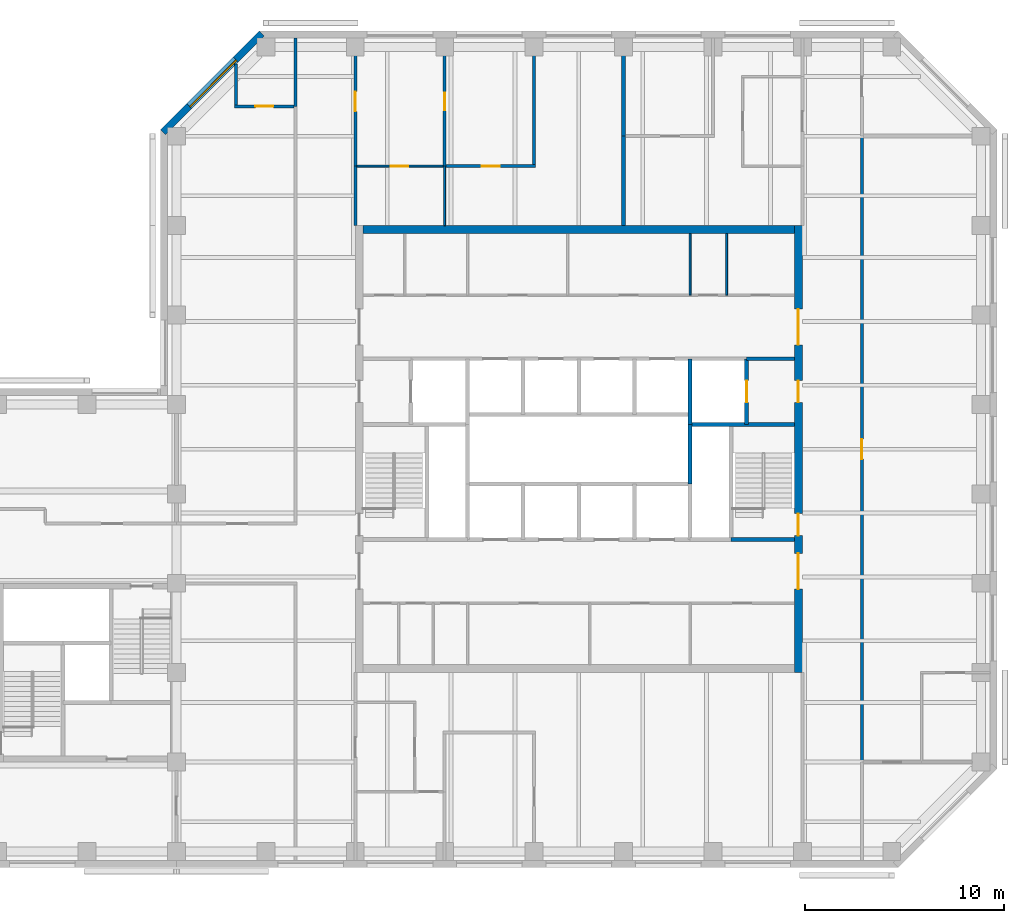
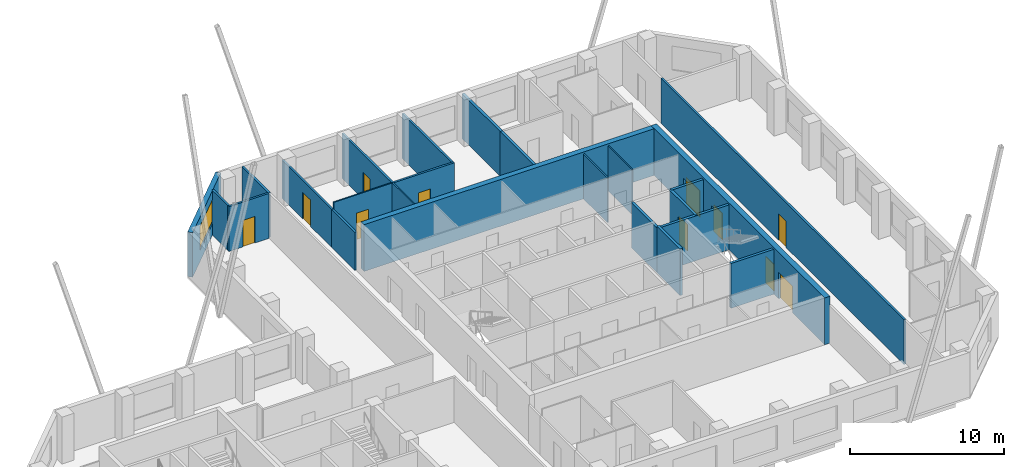
# One storey, part 6 of 9: 24 walls, 11 doors, 1 window, 12 openings.
"""IFC4 building model written with IfcOpenShell, lengths in metres."""

import ifcopenshell
import ifcopenshell.guid

model = None  # the IFC model being written
_history = None  # IfcOwnerHistory: only IFC2X3 demands one
_inside = {}  # id of a spatial element -> (the spatial element, [elements in it])
_under = {}  # id of a project, library or spatial element -> (it, [spatial elements below it])
_declared = {}  # id of a project -> (the project, [libraries it declares])
_typed = {}  # id of a type object -> (the type object, [elements of that type])
_made_of = {}  # id of a material, layer set ... -> (it, [elements and type objects made of it])


def new_model(schema):
    """Start an empty IFC model of exactly this schema.

    Asked for "IFC4X3", IfcOpenShell would pick the latest addendum, in which some entities
    have other attributes; the version numbers below select the first issue.
    IFC2X3 requires an IfcOwnerHistory on every rooted entity: one is made here for all.
    """
    global model, _history
    if schema == "IFC4X3":
        model = ifcopenshell.file(schema_version=(4, 3, 0, 0))
    else:
        model = ifcopenshell.file(schema=schema)
    _inside.clear()
    _under.clear()
    _declared.clear()
    _typed.clear()
    _made_of.clear()
    _history = None
    if model.schema == "IFC2X3":
        org = make("IfcOrganization", Name="unknown")
        user = make(
            "IfcPersonAndOrganization",
            ThePerson=make("IfcPerson", FamilyName="unknown"),
            TheOrganization=org,
        )
        app = make(
            "IfcApplication",
            ApplicationDeveloper=org,
            Version="unknown",
            ApplicationFullName="unknown",
            ApplicationIdentifier="unknown",
        )
        _history = make(
            "IfcOwnerHistory",
            OwningUser=user,
            OwningApplication=app,
            ChangeAction="ADDED",
            CreationDate=0,
        )
    return model


def make(cls, **values):
    """One entity of the class cls with the attributes given. An attribute that is None is left unset."""
    return model.create_entity(
        cls, **{name: value for name, value in values.items() if value is not None}
    )


def rooted(cls, **values):
    """An entity with a GlobalId (a new one), such as an element, a storey or a relation."""
    return make(cls, GlobalId=ifcopenshell.guid.new(), OwnerHistory=_history, **values)


def si_unit(unit_type, name, prefix=None):
    """IfcSIUnit, for example si_unit("LENGTHUNIT", "METRE", prefix="MILLI")."""
    return make("IfcSIUnit", UnitType=unit_type, Prefix=prefix, Name=name)


def assignment(units):
    """IfcUnitAssignment: the units of a project."""
    return None if units is None else make("IfcUnitAssignment", Units=units)


def point(xyz):
    """IfcCartesianPoint."""
    return None if xyz is None else make("IfcCartesianPoint", Coordinates=xyz)


def direction(xyz):
    """IfcDirection."""
    return None if xyz is None else make("IfcDirection", DirectionRatios=xyz)


def frame(location, z_axis=None, x_axis=None):
    """IfcAxis2Placement3D, a coordinate frame: its origin and axes. An axis left out is left unset."""
    return make(
        "IfcAxis2Placement3D",
        Location=point(location),
        Axis=direction(z_axis),
        RefDirection=direction(x_axis),
    )


def frame_2d(location, x_axis=None):
    """IfcAxis2Placement2D, a coordinate frame in the plane: its origin and x axis."""
    return make(
        "IfcAxis2Placement2D", Location=point(location), RefDirection=direction(x_axis)
    )


def origin():
    """The frame at (0, 0, 0) with its axes left unset."""
    return frame((0.0, 0.0, 0.0))


def place(relative_to, where):
    """IfcLocalPlacement: puts the frame where relative to a parent placement (None: the world)."""
    return make(
        "IfcLocalPlacement", PlacementRelTo=relative_to, RelativePlacement=where
    )


def context(
    kind, dimensions, precision=None, world=None, true_north=None, identifier=None
):
    """IfcGeometricRepresentationContext, for example the 3D "Model" context."""
    return make(
        "IfcGeometricRepresentationContext",
        ContextIdentifier=identifier,
        ContextType=kind,
        CoordinateSpaceDimension=dimensions,
        Precision=precision,
        WorldCoordinateSystem=world,
        TrueNorth=true_north,
    )


def subcontext(parent, identifier, kind, view, scale=None):
    """IfcGeometricRepresentationSubContext, for example "Body" below "Model"."""
    return make(
        "IfcGeometricRepresentationSubContext",
        ContextIdentifier=identifier,
        ContextType=kind,
        ParentContext=parent,
        TargetScale=scale,
        TargetView=view,
    )


def project(units=None, contexts=None):
    """IfcProject with its units and contexts."""
    return rooted(
        "IfcProject",
        Name="project",
        RepresentationContexts=contexts,
        UnitsInContext=assignment(units),
    )


def spatial(cls, under=None, at=None, **own):
    """A site, building, storey or space (cls), placed at a placement, below another one or the project."""
    s = rooted(cls, ObjectPlacement=at, **own)
    if under is not None:
        _under.setdefault(under.id(), (under, []))[1].append(s)
    return s


def profile(cls, at=None, kind="AREA", **sizes):
    """A parametric profile (cls). Its sizes go by their IFC names, for example OverallWidth=200.0."""
    return make(cls, ProfileType=kind, Position=at, **sizes)


def rectangle(**sizes):
    """IfcRectangleProfileDef."""
    return profile("IfcRectangleProfileDef", **sizes)


def extrude(swept, where, along, depth):
    """IfcExtrudedAreaSolid: the profile swept, set in the frame where, extruded along a direction by depth."""
    return make(
        "IfcExtrudedAreaSolid",
        SweptArea=swept,
        Position=where,
        ExtrudedDirection=direction(along),
        Depth=depth,
    )


def shape(context_of_items, identifier, shape_type, items):
    """IfcShapeRepresentation: the items that make up one representation, for example the "Body"."""
    return make(
        "IfcShapeRepresentation",
        ContextOfItems=context_of_items,
        RepresentationIdentifier=identifier,
        RepresentationType=shape_type,
        Items=items,
    )


def material(Name=None, Category=None):
    """IfcMaterial."""
    return make("IfcMaterial", Name=Name, Category=Category)


def layer(
    of_material, thickness, ventilated=None, Name=None, Category=None, Priority=None
):
    """IfcMaterialLayer: one layer of a wall or slab, of a material (None: an air gap)."""
    return make(
        "IfcMaterialLayer",
        Material=of_material,
        LayerThickness=thickness,
        IsVentilated=ventilated,
        Name=Name,
        Category=Category,
        Priority=Priority,
    )


def layer_set(layers, Name=None):
    """IfcMaterialLayerSet."""
    return make("IfcMaterialLayerSet", MaterialLayers=layers, LayerSetName=Name)


def constituent(of_material, Name=None, Category=None, fraction=None):
    """IfcMaterialConstituent: one of the materials an element consists of."""
    return make(
        "IfcMaterialConstituent",
        Name=Name,
        Material=of_material,
        Fraction=fraction,
        Category=Category,
    )


def constituent_set(constituents=None, Name=None):
    """IfcMaterialConstituentSet."""
    return make(
        "IfcMaterialConstituentSet", Name=Name, MaterialConstituents=constituents
    )


def made_of(thing, what):
    """Note that an element or type object is made of a material, layer set ...; save() writes the relation."""
    if what is not None:
        _made_of.setdefault(what.id(), (what, []))[1].append(thing)
    return thing


def type_object(cls, material=None, **own):
    """A type object (cls), such as IfcWallType, which elements share."""
    return made_of(rooted(cls, **own), material)


def element(
    cls,
    number,
    at=None,
    inside=None,
    cuts=None,
    type_object=None,
    material=None,
    context=None,
    identifier="Body",
    shape_type=None,
    held_by="IfcProductDefinitionShape",
    body=None,
    shapes=None,
    **own,
):
    """One element of the class cls, such as IfcWall. Its Tag is "e" and its number.

    at: its placement. inside: the storey or other place that contains it. cuts: it is an
    opening in that element (IfcRelVoidsElement). A single representation is given by context,
    identifier, shape_type and body (its items); several are given by shapes. held_by: the class
    of the entity that holds the representations. save() writes the other relations.
    """
    e = rooted(cls, Tag="e%d" % number, ObjectPlacement=at, **own)
    if body is not None:
        shapes = [shape(context, identifier, shape_type, body)]
    if shapes is not None:
        e.Representation = make(held_by, Representations=shapes)
    if inside is not None:
        _inside.setdefault(inside.id(), (inside, []))[1].append(e)
    if cuts is not None:
        rooted(
            "IfcRelVoidsElement", RelatingBuildingElement=cuts, RelatedOpeningElement=e
        )
    if type_object is not None:
        _typed.setdefault(type_object.id(), (type_object, []))[1].append(e)
    return made_of(e, material)


def fill(opening, filler):
    """IfcRelFillsElement: the door or window that sits in an opening."""
    return rooted(
        "IfcRelFillsElement",
        RelatingOpeningElement=opening,
        RelatedBuildingElement=filler,
    )


def aggregate(whole, parts):
    """IfcRelAggregates: a whole, such as a stair, and the parts it consists of."""
    return rooted("IfcRelAggregates", RelatingObject=whole, RelatedObjects=parts)


def save(model, path):
    """Write the relations noted so far, then the file.

    IfcRelAggregates (storeys below a building ...), IfcRelContainedInSpatialStructure (elements
    in a storey), IfcRelDefinesByType, IfcRelAssociatesMaterial and IfcRelDeclares: one each for
    every whole, place, type object, material and project.
    """
    for whole, parts in _under.values():
        aggregate(whole, parts)
    for where, things in _inside.values():
        rooted(
            "IfcRelContainedInSpatialStructure",
            RelatedElements=things,
            RelatingStructure=where,
        )
    for kind, things in _typed.values():
        rooted("IfcRelDefinesByType", RelatedObjects=things, RelatingType=kind)
    for what, things in _made_of.values():
        rooted("IfcRelAssociatesMaterial", RelatedObjects=things, RelatingMaterial=what)
    for by, libraries in _declared.values():
        rooted("IfcRelDeclares", RelatingContext=by, RelatedDefinitions=libraries)
    model.write(path)


model = new_model("IFC4")

# Units and contexts
model_context = context("Model", 3, precision=1e-05, world=origin(), true_north=direction((0.0, 1.0)))
body_context = subcontext(model_context, "Body", "Model", "MODEL_VIEW")
ifc_project = project(units=[si_unit("LENGTHUNIT", "METRE"), si_unit("AREAUNIT", "SQUARE_METRE"), si_unit("VOLUMEUNIT", "CUBIC_METRE"), si_unit("PLANEANGLEUNIT", "RADIAN"), si_unit("MASSUNIT", "GRAM", prefix="KILO")], contexts=[model_context])

# Site, building, storey
site_placement = place(None, origin())
site = spatial("IfcSite", under=ifc_project, at=site_placement, CompositionType="ELEMENT")
building_placement = place(site_placement, origin())
building = spatial("IfcBuilding", under=site, at=building_placement, Name="Quoin Convention Tower", CompositionType="ELEMENT")
storey_placement = place(building_placement, frame((0.0, 0.0, 173.60009765625)))
storey = spatial("IfcBuildingStorey", under=building, at=storey_placement, Name="L45", CompositionType="ELEMENT", Elevation=173.60009765625)

# Wall, opening, door
ifc_material_1 = material(Name="Plasterboard")
ifc_layer_1 = layer(ifc_material_1, 0.012451171875, Name="Finish")
ifc_material_2 = material(Name="Steel stud framing", Category="steel")
ifc_layer_2 = layer(ifc_material_2, 0.125, Name="Structure")
ifc_layer_3 = layer(ifc_material_1, 0.012451171875, Name="Finish")
ifc_layer_set_1 = layer_set([ifc_layer_1, ifc_layer_2, ifc_layer_3], Name="Steel stud framing")
wall_type_1 = type_object("IfcWallType", Name="Acoustic partition 150", PredefinedType="PARTITIONING", material=ifc_layer_set_1)
wall_1_placement = place(storey_placement, frame((49.574951171875, 75.0, 0.0), z_axis=(0.0, 0.0, 1.0), x_axis=(1.0, 0.0, 0.0)))
wall_1 = element("IfcWall", 1, at=wall_1_placement, inside=storey, type_object=wall_type_1, Name="pw-L45-019", PredefinedType="PARTITIONING", context=body_context, shape_type="SweptSolid", body=[
    extrude(rectangle(XDim=4.5, YDim=0.14990234375, at=frame_2d((2.25, 0.0))), origin(), (0.0, 0.0, 1.0), 3.5498046875),
])
opening_1_placement = place(wall_1_placement, frame((1.800048828125, 0.0, 0.0)))
opening_1 = element("IfcOpeningElement", 2, at=opening_1_placement, cuts=wall_1, Name="Opening DOH4-07", PredefinedType="OPENING", context=body_context, shape_type="SweptSolid", body=[
    extrude(rectangle(XDim=0.89990234375, YDim=2.10009765625, at=frame_2d((0.449951171875, 1.050048828125))), frame((0.0, 0.0849609375, 0.0), z_axis=(0.0, -1.0, 0.0), x_axis=(1.0, 0.0, 0.0)), (0.0, 0.0, 1.0), 0.169921875),
])
ifc_material_3 = material(Name="Steel door leaf", Category="steel")
door_type_1 = type_object("IfcDoorType", Name="Office door 900 x 2100", OperationType="SINGLE_SWING_RIGHT", PredefinedType="DOOR", material=ifc_material_3)
door_1_placement = place(opening_1_placement, frame((0.89990234375, 0.0, 0.0), z_axis=(0.0, 0.0, 1.0), x_axis=(-1.0, 0.0, 0.0)))
door_1 = element("IfcDoor", 3, at=door_1_placement, inside=storey, type_object=door_type_1, Name="dr-L45-18", OperationType="SINGLE_SWING_LEFT", OverallHeight=2.10009765625, OverallWidth=0.89990234375, PredefinedType="DOOR", context=body_context, shape_type="SweptSolid", body=[
    extrude(rectangle(XDim=0.89990234375, YDim=2.10009765625, at=frame_2d((0.449951171875, 1.050048828125))), frame((0.0, 0.02490234375, 0.0), z_axis=(0.0, -1.0, 0.0), x_axis=(1.0, 0.0, 0.0)), (0.0, 0.0, 1.0), 0.050048828125),
])
fill(opening_1, door_1)

wall_2_placement = place(storey_placement, frame((49.5, 75.0, 0.0), z_axis=(0.0, 0.0, 1.0), x_axis=(0.0, 1.0, 0.0)))
wall_2 = element("IfcWall", 4, at=wall_2_placement, inside=storey, type_object=wall_type_1, Name="pw-L45-057", PredefinedType="PARTITIONING", context=body_context, shape_type="SweptSolid", body=[
    extrude(rectangle(XDim=6.449951171875, YDim=0.14990234375, at=frame_2d((3.22509765625, 0.0))), origin(), (0.0, 0.0, 1.0), 3.5498046875),
])
opening_2_placement = place(wall_2_placement, frame((2.800048828125, 0.0, 0.0)))
opening_2 = element("IfcOpeningElement", 5, at=opening_2_placement, cuts=wall_2, Name="Opening DOH4-16", PredefinedType="OPENING", context=body_context, shape_type="SweptSolid", body=[
    extrude(rectangle(XDim=0.89990234375, YDim=2.10009765625, at=frame_2d((0.449951171875, 1.050048828125))), frame((0.0, 0.0849609375, 0.0), z_axis=(0.0, -1.0, 0.0), x_axis=(1.0, 0.0, 0.0)), (0.0, 0.0, 1.0), 0.169921875),
])
door_2_placement = place(opening_2_placement, origin())
door_2 = element("IfcDoor", 6, at=door_2_placement, inside=storey, type_object=door_type_1, Name="dr-L45-16", OperationType="SINGLE_SWING_RIGHT", OverallHeight=2.10009765625, OverallWidth=0.89990234375, PredefinedType="DOOR", context=body_context, shape_type="SweptSolid", body=[
    extrude(rectangle(XDim=0.89990234375, YDim=2.10009765625, at=frame_2d((0.449951171875, 1.050048828125))), frame((0.0, 0.02490234375, 0.0), z_axis=(0.0, -1.0, 0.0), x_axis=(1.0, 0.0, 0.0)), (0.0, 0.0, 1.0), 0.050048828125),
])
fill(opening_2, door_2)

# Wall
wall_3_placement = place(storey_placement, frame((54.0, 75.074951171875, 0.0), z_axis=(0.0, 0.0, 1.0), x_axis=(0.0, 1.0, 0.0)))
element("IfcWall", 7, at=wall_3_placement, inside=storey, type_object=wall_type_1, Name="pw-L45-060", PredefinedType="PARTITIONING", context=body_context, shape_type="SweptSolid", body=[
    extrude(rectangle(XDim=6.375, YDim=0.14990234375, at=frame_2d((3.1875, 0.0))), origin(), (0.0, 0.0, 1.0), 3.5498046875),
])

# Wall, opening, window
ifc_material_4 = material(Name="Brick masonry", Category="masonry")
ifc_layer_4 = layer(ifc_material_4, 0.35009765625)
ifc_layer_set_2 = layer_set([ifc_layer_4], Name="Brick masonry")
wall_type_2 = type_object("IfcWallType", Name="Brick facade wall", PredefinedType="STANDARD", material=ifc_layer_set_2)
wall_4_placement = place(storey_placement, frame((40.29248046875, 81.67626953125, 0.0), z_axis=(0.0, 0.0, 1.0), x_axis=(-0.707106781187, -0.707106781187, 0.0)))
wall_4 = element("IfcWall", 8, at=wall_4_placement, inside=storey, type_object=wall_type_2, Name="fw-L45-40500_81000", PredefinedType="STANDARD", context=body_context, shape_type="SweptSolid", body=[
    extrude(rectangle(XDim=7.02685546875, YDim=0.35009765625, at=frame_2d((3.513427734375, 0.0))), origin(), (0.0, 0.0, 1.0), 3.52490234375),
])
opening_3_placement = place(wall_4_placement, frame((1.86328125, 0.0, 0.89990234375)))
opening_3 = element("IfcOpeningElement", 9, at=opening_3_placement, cuts=wall_4, Name="Opening W-02", PredefinedType="OPENING", context=body_context, shape_type="SweptSolid", body=[
    extrude(rectangle(XDim=3.300048828125, YDim=1.89990234375, at=frame_2d((1.64990234375, 0.949951171875))), frame((0.0, 0.18505859375, 0.0), z_axis=(0.0, -1.0, 0.0), x_axis=(1.0, 0.0, 0.0)), (0.0, 0.0, 1.0), 0.3701171875),
])
ifc_material_5 = material(Name="Aluminium", Category="aluminium")
ifc_constituent_1 = constituent(ifc_material_5, Name="Frame")
ifc_material_6 = material(Name="Insulated glass", Category="glass")
ifc_constituent_2 = constituent(ifc_material_6, Name="Glazing")
ifc_constituent_set = constituent_set(constituents=[ifc_constituent_1, ifc_constituent_2], Name="Aluminium")
window_type = type_object("IfcWindowType", Name="Office window", PartitioningType="DOUBLE_PANEL_VERTICAL", PredefinedType="WINDOW", material=ifc_constituent_set)
window_placement = place(opening_3_placement, origin())
window = element("IfcWindow", 10, at=window_placement, inside=storey, type_object=window_type, Name="win-L45-37808_79192", OverallHeight=1.89990234375, OverallWidth=3.300048828125, PartitioningType="SINGLE_PANEL", PredefinedType="WINDOW", context=body_context, shape_type="SweptSolid", body=[
    extrude(rectangle(XDim=3.300048828125, YDim=1.89990234375, at=frame_2d((1.64990234375, 0.949951171875))), frame((0.0, 0.0849609375, 0.0), z_axis=(0.0, -1.0, 0.0), x_axis=(1.0, 0.0, 0.0)), (0.0, 0.0, 1.0), 0.06005859375),
])
fill(opening_3, window)

# Walls
ifc_layer_5 = layer(ifc_material_1, 0.012451171875, Name="Finish")
ifc_layer_6 = layer(ifc_material_2, 0.074951171875, Name="Structure")
ifc_layer_7 = layer(ifc_material_1, 0.012451171875, Name="Finish")
ifc_layer_set_3 = layer_set([ifc_layer_5, ifc_layer_6, ifc_layer_7], Name="Steel stud framing")
wall_type_3 = type_object("IfcWallType", Name="Core partition wall", PredefinedType="PARTITIONING", material=ifc_layer_set_3)
for number, where, z_axis, x_axis, name in (
    (11, (61.85009765625, 68.5, 0.0), (0.0, 0.0, 1.0), (0.0, 1.0, 0.0), "cr-C1-L45-v16850_19000"),
    (12, (63.6875, 68.5, 0.0), (0.0, 0.0, 1.0), (0.0, 1.0, 0.0), "cr-C1-L45-v18688_19000"),
):
    element("IfcWall", number, at=place(storey_placement, frame(where, z_axis=z_axis, x_axis=x_axis)), inside=storey, type_object=wall_type_3, Name=name, PredefinedType="PARTITIONING", context=body_context, shape_type="SweptSolid", body=[
        extrude(rectangle(XDim=3.10009765625, YDim=0.10009765625, at=frame_2d((1.550048828125, 0.0))), origin(), (0.0, 0.0, 1.0), 3.5498046875),
    ])
ifc_material_7 = material(Name="Concrete C50", Category="concrete")
ifc_layer_8 = layer(ifc_material_7, 0.199951171875)
ifc_layer_set_4 = layer_set([ifc_layer_8], Name="Concrete C50")
wall_type_4 = type_object("IfcWallType", Name="Core shaft wall", PredefinedType="SOLIDWALL", material=ifc_layer_set_4)
wall_5_placement = place(storey_placement, frame((63.89990234375, 56.199951171875, 0.0), z_axis=(0.0, 0.0, 1.0), x_axis=(1.0, 0.0, 0.0)))
element("IfcWall", 13, at=wall_5_placement, inside=storey, type_object=wall_type_4, Name="cr-C1-L45-h6700_18900", PredefinedType="SOLIDWALL", context=body_context, shape_type="SweptSolid", body=[
    extrude(rectangle(XDim=3.2001953125, YDim=0.199951171875, at=frame_2d((1.60009765625, 0.0))), origin(), (0.0, 0.0, 1.0), 3.5498046875),
])
wall_6_placement = place(storey_placement, frame((61.85009765625, 62.0, 0.0), z_axis=(0.0, 0.0, 1.0), x_axis=(1.0, 0.0, 0.0)))
element("IfcWall", 14, at=wall_6_placement, inside=storey, type_object=wall_type_4, Name="cr-C1-L45-h12500_16850", PredefinedType="SOLIDWALL", context=body_context, shape_type="SweptSolid", body=[
    extrude(rectangle(XDim=5.25, YDim=0.199951171875, at=frame_2d((2.625, 0.0))), origin(), (0.0, 0.0, 1.0), 3.5498046875),
])
wall_7_placement = place(storey_placement, frame((64.699951171875, 65.300048828125, 0.0), z_axis=(0.0, 0.0, 1.0), x_axis=(1.0, 0.0, 0.0)))
element("IfcWall", 15, at=wall_7_placement, inside=storey, type_object=wall_type_4, Name="cr-C1-L45-h15800_19700", PredefinedType="SOLIDWALL", context=body_context, shape_type="SweptSolid", body=[
    extrude(rectangle(XDim=2.400146484375, YDim=0.199951171875, at=frame_2d((1.2001953125, 0.0))), origin(), (0.0, 0.0, 1.0), 3.5498046875),
])
wall_8_placement = place(storey_placement, frame((61.85009765625, 62.0, 0.0), z_axis=(0.0, 0.0, 1.0), x_axis=(0.0, 1.0, 0.0)))
element("IfcWall", 16, at=wall_8_placement, inside=storey, type_object=wall_type_4, Name="cr-C1-L45-v16850_12500", PredefinedType="SOLIDWALL", context=body_context, shape_type="SweptSolid", body=[
    extrude(rectangle(XDim=3.300048828125, YDim=0.199951171875, at=frame_2d((1.64990234375, 0.0))), origin(), (0.0, 0.0, 1.0), 3.5498046875),
])

# Wall, opening, door
wall_9_placement = place(storey_placement, frame((64.699951171875, 62.0, 0.0), z_axis=(0.0, 0.0, 1.0), x_axis=(0.0, 1.0, 0.0)))
wall_9 = element("IfcWall", 17, at=wall_9_placement, inside=storey, type_object=wall_type_4, Name="cr-C1-L45-v19700_12500", PredefinedType="SOLIDWALL", context=body_context, shape_type="SweptSolid", body=[
    extrude(rectangle(XDim=3.300048828125, YDim=0.199951171875, at=frame_2d((1.64990234375, 0.0))), origin(), (0.0, 0.0, 1.0), 3.5498046875),
])
opening_4_placement = place(wall_9_placement, frame((1.10009765625, 0.0, 0.0)))
opening_4 = element("IfcOpeningElement", 18, at=opening_4_placement, cuts=wall_9, Name="Opening LDFL2", PredefinedType="OPENING", context=body_context, shape_type="SweptSolid", body=[
    extrude(rectangle(XDim=1.10009765625, YDim=2.10009765625, at=frame_2d((0.550048828125, 1.050048828125))), frame((0.0, 0.10986328125, 0.0), z_axis=(0.0, -1.0, 0.0), x_axis=(1.0, 0.0, 0.0)), (0.0, 0.0, 1.0), 0.219970703125),
])
door_type_2 = type_object("IfcDoorType", Name="Lift landing door 1100 x 2100", OperationType="DOUBLE_DOOR_SLIDING", PredefinedType="DOOR", material=ifc_material_3)
door_3_placement = place(opening_4_placement, origin())
door_3 = element("IfcDoor", 19, at=door_3_placement, inside=storey, type_object=door_type_2, Name="cd-C1-L45-FLE-FFE-LDFL2", OperationType="DOUBLE_DOOR_SLIDING", OverallHeight=2.10009765625, OverallWidth=1.10009765625, PredefinedType="DOOR", context=body_context, shape_type="SweptSolid", body=[
    extrude(rectangle(XDim=1.10009765625, YDim=2.10009765625, at=frame_2d((0.550048828125, 1.050048828125))), frame((0.0, 0.02490234375, 0.0), z_axis=(0.0, -1.0, 0.0), x_axis=(1.0, 0.0, 0.0)), (0.0, 0.0, 1.0), 0.050048828125),
])
fill(opening_4, door_3)

# Wall
ifc_layer_9 = layer(ifc_material_7, 0.199951171875)
ifc_layer_set_5 = layer_set([ifc_layer_9], Name="Concrete C50")
wall_type_5 = type_object("IfcWallType", Name="Core shaft wall to the floor level over", PredefinedType="SOLIDWALL", material=ifc_layer_set_5)
wall_10_placement = place(storey_placement, frame((61.85009765625, 59.0, 0.0), z_axis=(0.0, 0.0, 1.0), x_axis=(0.0, 1.0, 0.0)))
element("IfcWall", 20, at=wall_10_placement, inside=storey, type_object=wall_type_5, Name="cr-C1-L45-v16850_9500", PredefinedType="SOLIDWALL", context=body_context, shape_type="SweptSolid", body=[
    extrude(rectangle(XDim=3.0, YDim=0.199951171875, at=frame_2d((1.5, 0.0))), origin(), (0.0, 0.0, 1.0), 3.699951171875),
])

# Wall, opening, door
ifc_layer_10 = layer(ifc_material_1, 0.012451171875, Name="Finish")
ifc_layer_11 = layer(ifc_material_2, 0.125, Name="Structure")
ifc_layer_12 = layer(ifc_material_1, 0.012451171875, Name="Finish")
ifc_layer_set_6 = layer_set([ifc_layer_10, ifc_layer_11, ifc_layer_12], Name="Steel stud framing")
wall_type_6 = type_object("IfcWallType", Name="Corridor wall 150", PredefinedType="PARTITIONING", material=ifc_layer_set_6)
wall_11_placement = place(storey_placement, frame((70.5, 45.0, 0.0), z_axis=(0.0, 0.0, 1.0), x_axis=(0.0, 1.0, 0.0)))
wall_11 = element("IfcWall", 21, at=wall_11_placement, inside=storey, type_object=wall_type_6, Name="pw-L45-039", PredefinedType="PARTITIONING", context=body_context, shape_type="SweptSolid", body=[
    extrude(rectangle(XDim=31.5, YDim=0.14990234375, at=frame_2d((15.75, 0.0))), origin(), (0.0, 0.0, 1.0), 3.5498046875),
])
opening_5_placement = place(wall_11_placement, frame((15.25, 0.0, 0.0)))
opening_5 = element("IfcOpeningElement", 22, at=opening_5_placement, cuts=wall_11, Name="Opening DOH4-14", PredefinedType="OPENING", context=body_context, shape_type="SweptSolid", body=[
    extrude(rectangle(XDim=1.0, YDim=2.10009765625, at=frame_2d((0.5, 1.050048828125))), frame((0.0, 0.0849609375, 0.0), z_axis=(0.0, -1.0, 0.0), x_axis=(1.0, 0.0, 0.0)), (0.0, 0.0, 1.0), 0.169921875),
])
door_type_3 = type_object("IfcDoorType", Name="Tenancy entrance door 1000 x 2100", OperationType="DOUBLE_DOOR_SINGLE_SWING", PredefinedType="DOOR", material=ifc_material_3)
door_4_placement = place(opening_5_placement, frame((1.0, 0.0, 0.0), z_axis=(0.0, 0.0, 1.0), x_axis=(-1.0, 0.0, 0.0)))
door_4 = element("IfcDoor", 23, at=door_4_placement, inside=storey, type_object=door_type_3, Name="dr-L45-22", OperationType="DOUBLE_DOOR_SINGLE_SWING", OverallHeight=2.10009765625, OverallWidth=1.0, PredefinedType="DOOR", context=body_context, shape_type="SweptSolid", body=[
    extrude(rectangle(XDim=1.0, YDim=2.10009765625, at=frame_2d((0.5, 1.050048828125))), frame((0.0, 0.02490234375, 0.0), z_axis=(0.0, -1.0, 0.0), x_axis=(1.0, 0.0, 0.0)), (0.0, 0.0, 1.0), 0.050048828125),
])
fill(opening_5, door_4)

# Walls
wall_12_placement = place(storey_placement, frame((42.0, 78.0, 0.0), z_axis=(0.0, 0.0, 1.0), x_axis=(0.0, 1.0, 0.0)))
element("IfcWall", 24, at=wall_12_placement, inside=storey, type_object=wall_type_6, Name="pw-L45-064", PredefinedType="PARTITIONING", context=body_context, shape_type="SweptSolid", body=[
    extrude(rectangle(XDim=3.449951171875, YDim=0.14990234375, at=frame_2d((1.72509765625, 0.0))), origin(), (0.0, 0.0, 1.0), 3.5498046875),
])
ifc_layer_13 = layer(ifc_material_1, 0.012451171875, Name="Finish")
ifc_layer_14 = layer(ifc_material_2, 0.125, Name="Structure")
ifc_layer_15 = layer(ifc_material_1, 0.012451171875, Name="Finish")
ifc_layer_set_7 = layer_set([ifc_layer_13, ifc_layer_14, ifc_layer_15], Name="Steel stud framing")
wall_type_7 = type_object("IfcWallType", Name="Corridor wall 150 under beam 528", PredefinedType="PARTITIONING", material=ifc_layer_set_7)
wall_13_placement = place(storey_placement, frame((45.0, 72.0, 0.0), z_axis=(0.0, 0.0, 1.0), x_axis=(0.0, 1.0, 0.0)))
element("IfcWall", 25, at=wall_13_placement, inside=storey, type_object=wall_type_7, Name="pw-L45-052", PredefinedType="PARTITIONING", context=body_context, shape_type="SweptSolid", body=[
    extrude(rectangle(XDim=3.0, YDim=0.14990234375, at=frame_2d((1.5, 0.0))), origin(), (0.0, 0.0, 1.0), 3.02197265625),
])

# Wall, opening, door
wall_14_placement = place(storey_placement, frame((45.0, 75.0, 0.0), z_axis=(0.0, 0.0, 1.0), x_axis=(0.0, 1.0, 0.0)))
wall_14 = element("IfcWall", 26, at=wall_14_placement, inside=storey, type_object=wall_type_7, Name="pw-L45-056", PredefinedType="PARTITIONING", context=body_context, shape_type="SweptSolid", body=[
    extrude(rectangle(XDim=6.449951171875, YDim=0.14990234375, at=frame_2d((3.22509765625, 0.0))), origin(), (0.0, 0.0, 1.0), 3.02197265625),
])
opening_6_placement = place(wall_14_placement, frame((2.75, 0.0, 0.0)))
opening_6 = element("IfcOpeningElement", 27, at=opening_6_placement, cuts=wall_14, Name="Opening DOH4-15", PredefinedType="OPENING", context=body_context, shape_type="SweptSolid", body=[
    extrude(rectangle(XDim=1.0, YDim=2.10009765625, at=frame_2d((0.5, 1.050048828125))), frame((0.0, 0.0849609375, 0.0), z_axis=(0.0, -1.0, 0.0), x_axis=(1.0, 0.0, 0.0)), (0.0, 0.0, 1.0), 0.169921875),
])
door_5_placement = place(opening_6_placement, frame((1.0, 0.0, 0.0), z_axis=(0.0, 0.0, 1.0), x_axis=(-1.0, 0.0, 0.0)))
door_5 = element("IfcDoor", 28, at=door_5_placement, inside=storey, type_object=door_type_3, Name="dr-L45-15", OperationType="DOUBLE_DOOR_SINGLE_SWING", OverallHeight=2.10009765625, OverallWidth=1.0, PredefinedType="DOOR", context=body_context, shape_type="SweptSolid", body=[
    extrude(rectangle(XDim=1.0, YDim=2.10009765625, at=frame_2d((0.5, 1.050048828125))), frame((0.0, 0.02490234375, 0.0), z_axis=(0.0, -1.0, 0.0), x_axis=(1.0, 0.0, 0.0)), (0.0, 0.0, 1.0), 0.050048828125),
])
fill(opening_6, door_5)

# Wall
ifc_layer_16 = layer(ifc_material_7, 0.39990234375)
ifc_layer_set_8 = layer_set([ifc_layer_16], Name="Concrete C50")
wall_type_8 = type_object("IfcWallType", Name="RC CORE WALL 400 C50", PredefinedType="SHEAR", material=ifc_layer_set_8)
wall_15_placement = place(storey_placement, frame((45.39990234375, 71.800048828125, 0.0), z_axis=(0.0, 0.0, 1.0), x_axis=(1.0, 0.0, 0.0)))
element("IfcWall", 29, at=wall_15_placement, inside=storey, type_object=wall_type_8, Name="cwl-C1-L45-N", PredefinedType="SHEAR", context=body_context, shape_type="SweptSolid", body=[
    extrude(rectangle(XDim=21.7001953125, YDim=0.39990234375, at=frame_2d((10.85009765625, 0.0))), origin(), (0.0, 0.0, 1.0), 3.699951171875),
])

# Wall, openings, doors
wall_16_placement = place(storey_placement, frame((67.300048828125, 49.5, 0.0), z_axis=(0.0, 0.0, 1.0), x_axis=(0.0, 1.0, 0.0)))
wall_16 = element("IfcWall", 30, at=wall_16_placement, inside=storey, type_object=wall_type_8, Name="cwl-C1-L45-E", PredefinedType="SHEAR", context=body_context, shape_type="SweptSolid", body=[
    extrude(rectangle(XDim=22.5, YDim=0.39990234375, at=frame_2d((11.25, 0.0))), origin(), (0.0, 0.0, 1.0), 3.699951171875),
])
opening_7_placement = place(wall_16_placement, frame((4.199951171875, 0.0, 0.0)))
opening_7 = element("IfcOpeningElement", 31, at=opening_7_placement, cuts=wall_16, Name="Opening DCV3-38", PredefinedType="OPENING", context=body_context, shape_type="SweptSolid", body=[
    extrude(rectangle(XDim=1.800048828125, YDim=2.10009765625, at=frame_2d((0.89990234375, 1.050048828125))), frame((0.0, 0.2099609375, 0.0), z_axis=(0.0, -1.0, 0.0), x_axis=(1.0, 0.0, 0.0)), (0.0, 0.0, 1.0), 0.419921875),
])
opening_8_placement = place(wall_16_placement, frame((6.89990234375, 0.0, 0.0)))
opening_8 = element("IfcOpeningElement", 32, at=opening_8_placement, cuts=wall_16, Name="Opening SD2", PredefinedType="OPENING", context=body_context, shape_type="SweptSolid", body=[
    extrude(rectangle(XDim=1.10009765625, YDim=2.10009765625, at=frame_2d((0.550048828125, 1.050048828125))), frame((0.0, 0.2099609375, 0.0), z_axis=(0.0, -1.0, 0.0), x_axis=(1.0, 0.0, 0.0)), (0.0, 0.0, 1.0), 0.419921875),
])
opening_9_placement = place(wall_16_placement, frame((13.60009765625, 0.0, 0.0)))
opening_9 = element("IfcOpeningElement", 33, at=opening_9_placement, cuts=wall_16, Name="Opening DCV3-37", PredefinedType="OPENING", context=body_context, shape_type="SweptSolid", body=[
    extrude(rectangle(XDim=1.10009765625, YDim=2.10009765625, at=frame_2d((0.550048828125, 1.050048828125))), frame((0.0, 0.2099609375, 0.0), z_axis=(0.0, -1.0, 0.0), x_axis=(1.0, 0.0, 0.0)), (0.0, 0.0, 1.0), 0.419921875),
])
opening_10_placement = place(wall_16_placement, frame((16.5, 0.0, 0.0)))
opening_10 = element("IfcOpeningElement", 34, at=opening_10_placement, cuts=wall_16, Name="Opening DCV3-38", PredefinedType="OPENING", context=body_context, shape_type="SweptSolid", body=[
    extrude(rectangle(XDim=1.800048828125, YDim=2.10009765625, at=frame_2d((0.89990234375, 1.050048828125))), frame((0.0, 0.2099609375, 0.0), z_axis=(0.0, -1.0, 0.0), x_axis=(1.0, 0.0, 0.0)), (0.0, 0.0, 1.0), 0.419921875),
])
door_type_4 = type_object("IfcDoorType", Name="Fire-fighting lobby door 1100 x 2100", OperationType="SINGLE_SWING_LEFT", PredefinedType="DOOR", material=ifc_material_3)
door_6_placement = place(opening_9_placement, origin())
door_6 = element("IfcDoor", 35, at=door_6_placement, inside=storey, type_object=door_type_4, Name="cd-C1-L45-FFE-E", OperationType="SINGLE_SWING_RIGHT", OverallHeight=2.10009765625, OverallWidth=1.10009765625, PredefinedType="DOOR", context=body_context, shape_type="SweptSolid", body=[
    extrude(rectangle(XDim=1.10009765625, YDim=2.10009765625, at=frame_2d((0.550048828125, 1.050048828125))), frame((0.0, 0.02490234375, 0.0), z_axis=(0.0, -1.0, 0.0), x_axis=(1.0, 0.0, 0.0)), (0.0, 0.0, 1.0), 0.050048828125),
])
fill(opening_9, door_6)
door_type_5 = type_object("IfcDoorType", Name="Lift lobby door 1800 x 2100", OperationType="SINGLE_SWING_LEFT", PredefinedType="DOOR", material=ifc_material_3)
door_7_placement = place(opening_7_placement, origin())
door_7 = element("IfcDoor", 36, at=door_7_placement, inside=storey, type_object=door_type_5, Name="cd-C1-L45-lobA-E", OperationType="SINGLE_SWING_RIGHT", OverallHeight=2.10009765625, OverallWidth=1.800048828125, PredefinedType="DOOR", context=body_context, shape_type="SweptSolid", body=[
    extrude(rectangle(XDim=1.800048828125, YDim=2.10009765625, at=frame_2d((0.89990234375, 1.050048828125))), frame((0.0, 0.02490234375, 0.0), z_axis=(0.0, -1.0, 0.0), x_axis=(1.0, 0.0, 0.0)), (0.0, 0.0, 1.0), 0.050048828125),
])
fill(opening_7, door_7)
door_8_placement = place(opening_10_placement, origin())
door_8 = element("IfcDoor", 37, at=door_8_placement, inside=storey, type_object=door_type_5, Name="cd-C1-L45-lobB-E", OperationType="SINGLE_SWING_RIGHT", OverallHeight=2.10009765625, OverallWidth=1.800048828125, PredefinedType="DOOR", context=body_context, shape_type="SweptSolid", body=[
    extrude(rectangle(XDim=1.800048828125, YDim=2.10009765625, at=frame_2d((0.89990234375, 1.050048828125))), frame((0.0, 0.02490234375, 0.0), z_axis=(0.0, -1.0, 0.0), x_axis=(1.0, 0.0, 0.0)), (0.0, 0.0, 1.0), 0.050048828125),
])
fill(opening_10, door_8)
door_type_6 = type_object("IfcDoorType", Name="Stair door 1100 x 2100", OperationType="SINGLE_SWING_RIGHT", PredefinedType="DOOR", material=ifc_material_3)
door_9_placement = place(opening_8_placement, origin())
door_9 = element("IfcDoor", 38, at=door_9_placement, inside=storey, type_object=door_type_6, Name="cd-C1-L45-STE-E", OperationType="SINGLE_SWING_LEFT", OverallHeight=2.10009765625, OverallWidth=1.10009765625, PredefinedType="DOOR", context=body_context, shape_type="SweptSolid", body=[
    extrude(rectangle(XDim=1.10009765625, YDim=2.10009765625, at=frame_2d((0.550048828125, 1.050048828125))), frame((0.0, 0.02490234375, 0.0), z_axis=(0.0, -1.0, 0.0), x_axis=(1.0, 0.0, 0.0)), (0.0, 0.0, 1.0), 0.050048828125),
])
fill(opening_8, door_9)

# Wall, opening, door
ifc_layer_17 = layer(ifc_material_1, 0.012451171875, Name="Finish")
ifc_layer_18 = layer(ifc_material_2, 0.074951171875, Name="Structure")
ifc_layer_19 = layer(ifc_material_1, 0.012451171875, Name="Finish")
ifc_layer_set_9 = layer_set([ifc_layer_17, ifc_layer_18, ifc_layer_19], Name="Steel stud framing")
wall_type_9 = type_object("IfcWallType", Name="Stud partition 100", PredefinedType="PARTITIONING", material=ifc_layer_set_9)
wall_17_placement = place(storey_placement, frame((45.074951171875, 75.0, 0.0), z_axis=(0.0, 0.0, 1.0), x_axis=(1.0, 0.0, 0.0)))
wall_17 = element("IfcWall", 39, at=wall_17_placement, inside=storey, type_object=wall_type_9, Name="pw-L45-018", PredefinedType="PARTITIONING", context=body_context, shape_type="SweptSolid", body=[
    extrude(rectangle(XDim=4.35009765625, YDim=0.10009765625, at=frame_2d((2.175048828125, 0.0))), origin(), (0.0, 0.0, 1.0), 3.5498046875),
])
opening_11_placement = place(wall_17_placement, frame((1.699951171875, 0.0, 0.0)))
opening_11 = element("IfcOpeningElement", 40, at=opening_11_placement, cuts=wall_17, Name="Opening DOH4-06", PredefinedType="OPENING", context=body_context, shape_type="SweptSolid", body=[
    extrude(rectangle(XDim=0.89990234375, YDim=2.10009765625, at=frame_2d((0.449951171875, 1.050048828125))), frame((0.0, 0.06005859375, 0.0), z_axis=(0.0, -1.0, 0.0), x_axis=(1.0, 0.0, 0.0)), (0.0, 0.0, 1.0), 0.1201171875),
])
door_10_placement = place(opening_11_placement, origin())
door_10 = element("IfcDoor", 41, at=door_10_placement, inside=storey, type_object=door_type_1, Name="dr-L45-17", OperationType="SINGLE_SWING_RIGHT", OverallHeight=2.10009765625, OverallWidth=0.89990234375, PredefinedType="DOOR", context=body_context, shape_type="SweptSolid", body=[
    extrude(rectangle(XDim=0.89990234375, YDim=2.10009765625, at=frame_2d((0.449951171875, 1.050048828125))), frame((0.0, 0.02490234375, 0.0), z_axis=(0.0, -1.0, 0.0), x_axis=(1.0, 0.0, 0.0)), (0.0, 0.0, 1.0), 0.050048828125),
])
fill(opening_11, door_10)

# Walls
wall_18_placement = place(storey_placement, frame((49.5, 72.0, 0.0), z_axis=(0.0, 0.0, 1.0), x_axis=(0.0, 1.0, 0.0)))
element("IfcWall", 42, at=wall_18_placement, inside=storey, type_object=wall_type_9, Name="pw-L45-053", PredefinedType="PARTITIONING", context=body_context, shape_type="SweptSolid", body=[
    extrude(rectangle(XDim=3.0, YDim=0.10009765625, at=frame_2d((1.5, 0.0))), origin(), (0.0, 0.0, 1.0), 3.5498046875),
])
ifc_layer_20 = layer(ifc_material_1, 0.012451171875, Name="Finish")
ifc_layer_21 = layer(ifc_material_2, 0.175048828125, Name="Structure")
ifc_layer_22 = layer(ifc_material_1, 0.012451171875, Name="Finish")
ifc_layer_set_10 = layer_set([ifc_layer_20, ifc_layer_21, ifc_layer_22], Name="Steel stud framing")
wall_type_10 = type_object("IfcWallType", Name="Tenancy demising wall 200", PredefinedType="PARTITIONING", material=ifc_layer_set_10)
wall_19_placement = place(storey_placement, frame((58.5, 72.0, 0.0), z_axis=(0.0, 0.0, 1.0), x_axis=(0.0, 1.0, 0.0)))
element("IfcWall", 43, at=wall_19_placement, inside=storey, type_object=wall_type_10, Name="pw-L45-054", PredefinedType="PARTITIONING", context=body_context, shape_type="SweptSolid", body=[
    extrude(rectangle(XDim=4.5, YDim=0.199951171875, at=frame_2d((2.25, 0.0))), origin(), (0.0, 0.0, 1.0), 3.5498046875),
])
wall_20_placement = place(storey_placement, frame((58.5, 76.5, 0.0), z_axis=(0.0, 0.0, 1.0), x_axis=(0.0, 1.0, 0.0)))
element("IfcWall", 44, at=wall_20_placement, inside=storey, type_object=wall_type_10, Name="pw-L45-061", PredefinedType="PARTITIONING", context=body_context, shape_type="SweptSolid", body=[
    extrude(rectangle(XDim=4.949951171875, YDim=0.199951171875, at=frame_2d((2.47509765625, 0.0))), origin(), (0.0, 0.0, 1.0), 3.5498046875),
])

# Wall, opening, door
ifc_layer_23 = layer(ifc_material_1, 0.012451171875, Name="Finish")
ifc_layer_24 = layer(ifc_material_2, 0.125, Name="Structure")
ifc_layer_25 = layer(ifc_material_1, 0.012451171875, Name="Finish")
ifc_layer_set_11 = layer_set([ifc_layer_23, ifc_layer_24, ifc_layer_25], Name="Steel stud framing")
wall_type_11 = type_object("IfcWallType", Name="Wet area partition 150", PredefinedType="PARTITIONING", material=ifc_layer_set_11)
wall_21_placement = place(storey_placement, frame((38.925048828125, 78.0, 0.0), z_axis=(0.0, 0.0, 1.0), x_axis=(1.0, 0.0, 0.0)))
wall_21 = element("IfcWall", 45, at=wall_21_placement, inside=storey, type_object=wall_type_11, Name="pw-L45-023", PredefinedType="PARTITIONING", context=body_context, shape_type="SweptSolid", body=[
    extrude(rectangle(XDim=3.0, YDim=0.14990234375, at=frame_2d((1.5, 0.0))), origin(), (0.0, 0.0, 1.0), 3.5498046875),
])
opening_12_placement = place(wall_21_placement, frame((1.050048828125, 0.0, 0.0)))
opening_12 = element("IfcOpeningElement", 46, at=opening_12_placement, cuts=wall_21, Name="Opening DOH4-09", PredefinedType="OPENING", context=body_context, shape_type="SweptSolid", body=[
    extrude(rectangle(XDim=0.89990234375, YDim=2.10009765625, at=frame_2d((0.449951171875, 1.050048828125))), frame((0.0, 0.0849609375, 0.0), z_axis=(0.0, -1.0, 0.0), x_axis=(1.0, 0.0, 0.0)), (0.0, 0.0, 1.0), 0.169921875),
])
door_11_placement = place(opening_12_placement, frame((0.89990234375, 0.0, 0.0), z_axis=(0.0, 0.0, 1.0), x_axis=(-1.0, 0.0, 0.0)))
door_11 = element("IfcDoor", 47, at=door_11_placement, inside=storey, type_object=door_type_1, Name="dr-L45-10", OperationType="SINGLE_SWING_LEFT", OverallHeight=2.10009765625, OverallWidth=0.89990234375, PredefinedType="DOOR", context=body_context, shape_type="SweptSolid", body=[
    extrude(rectangle(XDim=0.89990234375, YDim=2.10009765625, at=frame_2d((0.449951171875, 1.050048828125))), frame((0.0, 0.02490234375, 0.0), z_axis=(0.0, -1.0, 0.0), x_axis=(1.0, 0.0, 0.0)), (0.0, 0.0, 1.0), 0.050048828125),
])
fill(opening_12, door_11)

# Wall
wall_22_placement = place(storey_placement, frame((39.0, 78.074951171875, 0.0), z_axis=(0.0, 0.0, 1.0), x_axis=(0.0, 1.0, 0.0)))
element("IfcWall", 48, at=wall_22_placement, inside=storey, type_object=wall_type_11, Name="pw-L45-065", PredefinedType="PARTITIONING", context=body_context, shape_type="SweptSolid", body=[
    extrude(rectangle(XDim=2.0615234375, YDim=0.14990234375, at=frame_2d((1.03076171875, 0.0))), origin(), (0.0, 0.0, 1.0), 3.5498046875),
])

save(model, "model.ifc")
